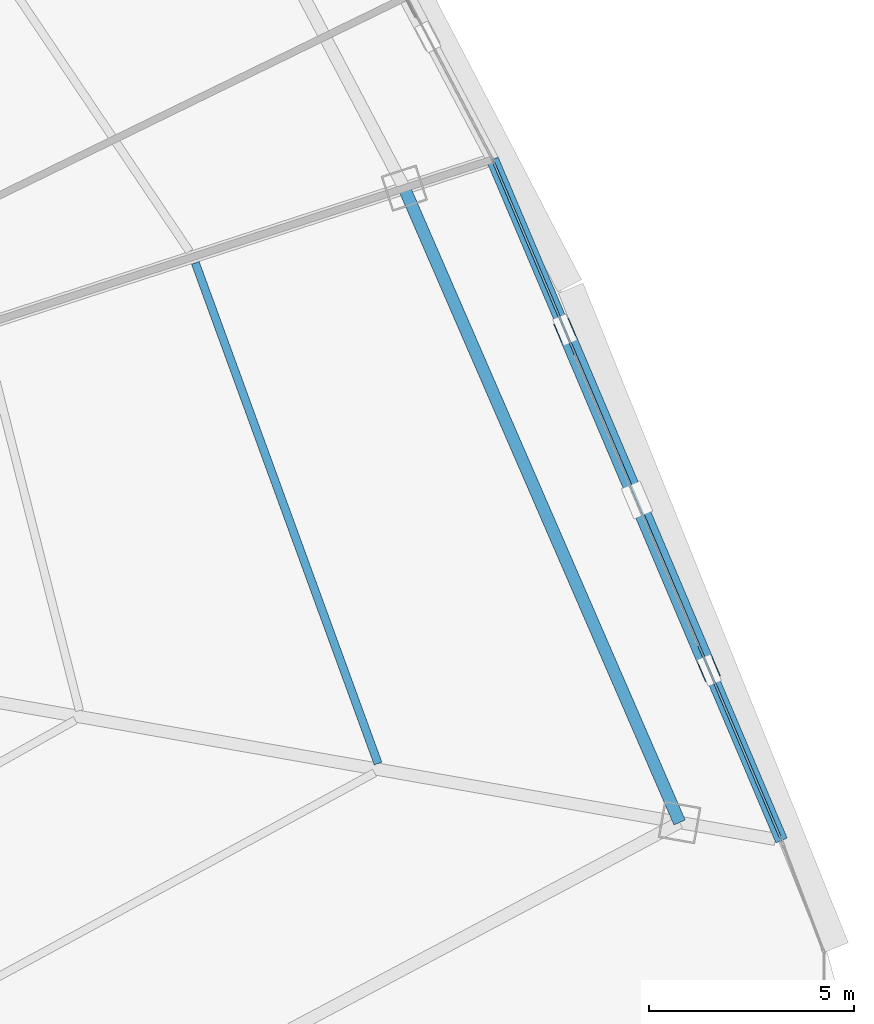
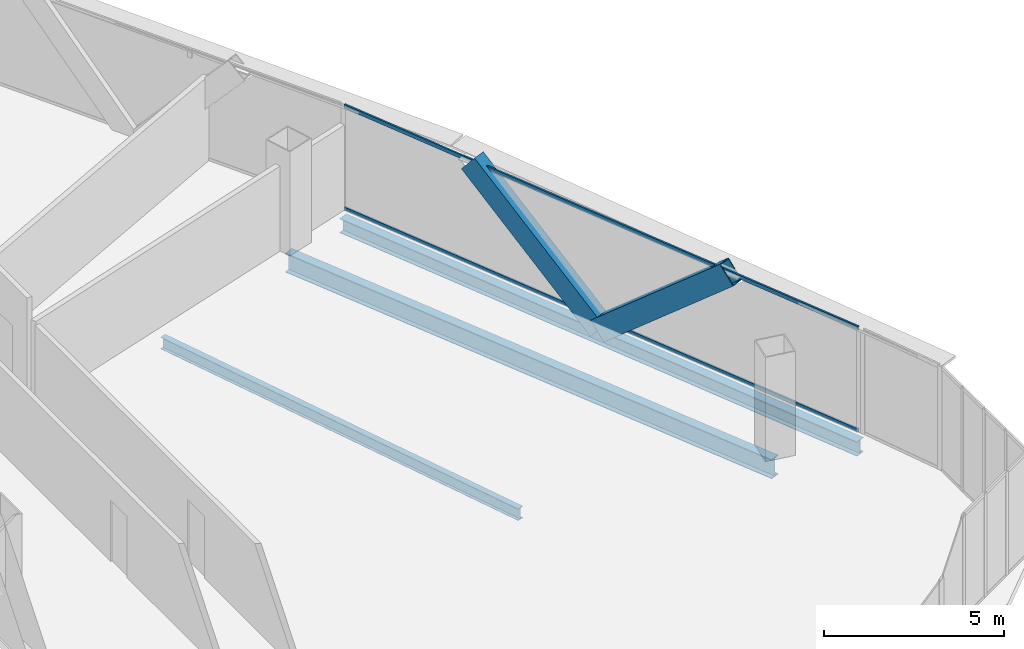
# One storey, part 25 of 40: 4 members, 3 beams, 1 element without a shape of its own.
"""IFC4 building model written with IfcOpenShell, lengths in metres."""

from ifc_helpers import new_model, si_unit, direction, frame, origin, origin_2d, place, context, subcontext, project, spatial, hollow_rectangle, i_section, extrude, source, transform, mapped, material, layer, layer_set, material_profile, profile_set, type_object, element, aggregate, save


model = new_model("IFC4")

# Units and contexts
model_context = context("Model", 3, precision=1e-05, world=origin(), true_north=direction((0.0, 1.0)))
body_context = subcontext(model_context, "Body", "Model", "MODEL_VIEW")
ifc_project = project(units=[si_unit("LENGTHUNIT", "METRE"), si_unit("AREAUNIT", "SQUARE_METRE"), si_unit("VOLUMEUNIT", "CUBIC_METRE"), si_unit("PLANEANGLEUNIT", "RADIAN"), si_unit("MASSUNIT", "GRAM", prefix="KILO"), si_unit("THERMODYNAMICTEMPERATUREUNIT", "KELVIN"), si_unit("POWERUNIT", "WATT")], contexts=[model_context])

# Site, building, storey
site_placement = place(None, origin())
site = spatial("IfcSite", under=ifc_project, at=site_placement, CompositionType="ELEMENT")
building_placement = place(site_placement, origin())
building = spatial("IfcBuilding", under=site, at=building_placement, Name="Yunzhuo Pagoda Commons", CompositionType="ELEMENT")
storey_placement = place(building_placement, frame((0.0, 0.0, 184.760009765625)))
storey = spatial("IfcBuildingStorey", under=building, at=storey_placement, Name="L46", CompositionType="ELEMENT", Elevation=184.760009765625)

# Beams
ifc_material_1 = material(Name="Structural steel Q355B", Category="steel")
ifc_material_profile_1 = material_profile(ifc_material_1, i_section(OverallWidth=0.300048828125, OverallDepth=0.488037109375, WebThickness=0.010986328125, FlangeThickness=0.01806640625, at=origin_2d()), Name="Structural steel Q355B")
ifc_profile_set_1 = profile_set([ifc_material_profile_1], Name="Structural steel Q355B")
beam_type_1 = type_object("IfcBeamType", Name="B-SP1 Beam HM 488x300x11x18", PredefinedType="BEAM", material=ifc_profile_set_1)
shared_shape_1 = source(origin(), body_context, "Body", "SweptSolid", [
    extrude(i_section(OverallWidth=0.300048828125, OverallDepth=0.488037109375, WebThickness=0.010986328125, FlangeThickness=0.01806640625, at=origin_2d()), origin(), (0.0, 0.0, 1.0), 18.037109375),
])
beam_1_placement = place(storey_placement, frame((85.6923828125, 27.0537109375, -0.503662109375), z_axis=(-0.390700353575, 0.920517916021, 0.0), x_axis=(-0.920517916021, -0.390700353575, 0.0)))
element("IfcBeam", 1, at=beam_1_placement, inside=storey, type_object=beam_type_1, Name="L46 facade edge spandrel beam F2.1", PredefinedType="BEAM", context=body_context, shape_type="MappedRepresentation", body=[
    mapped(shared_shape_1, transform((0.0, 0.0, 0.0), scale=1.0)),
])
ifc_material_profile_2 = material_profile(ifc_material_1, i_section(OverallWidth=0.300048828125, OverallDepth=0.64990234375, WebThickness=0.012939453125, FlangeThickness=0.02197265625, at=origin_2d()), Name="Structural steel Q355B")
ifc_profile_set_2 = profile_set([ifc_material_profile_2], Name="Structural steel Q355B")
beam_type_2 = type_object("IfcBeamType", Name="B-RG2 Beam HN 650x300x13x22", PredefinedType="BEAM", material=ifc_profile_set_2)
shared_shape_2 = source(origin(), body_context, "Body", "SweptSolid", [
    extrude(i_section(OverallWidth=0.300048828125, OverallDepth=0.64990234375, WebThickness=0.012939453125, FlangeThickness=0.02197265625, at=origin_2d()), origin(), (0.0, 0.0, 1.0), 16.859619140625),
])
beam_2_placement = place(storey_placement, frame((83.20654296875, 27.492431640625, -0.5849609375), z_axis=(-0.398104384161, 0.917340121935, 0.0), x_axis=(-0.917340121935, -0.398104384161, 0.0)))
element("IfcBeam", 2, at=beam_2_placement, inside=storey, type_object=beam_type_2, Name="L46 column-ring beam 5", PredefinedType="BEAM", context=body_context, shape_type="MappedRepresentation", body=[
    mapped(shared_shape_2, transform((0.0, 0.0, 0.0), scale=1.0)),
])
ifc_material_profile_3 = material_profile(ifc_material_1, i_section(OverallWidth=0.199951171875, OverallDepth=0.39990234375, WebThickness=0.008056640625, FlangeThickness=0.012939453125, at=origin_2d()), Name="Structural steel Q355B")
ifc_profile_set_3 = profile_set([ifc_material_profile_3], Name="Structural steel Q355B")
beam_type_3 = type_object("IfcBeamType", Name="B-JS1 Joist HN 400x200x8x13", PredefinedType="JOIST", material=ifc_profile_set_3)
shared_shape_3 = source(origin(), body_context, "Body", "SweptSolid", [
    extrude(i_section(OverallWidth=0.199951171875, OverallDepth=0.39990234375, WebThickness=0.008056640625, FlangeThickness=0.012939453125, at=origin_2d()), origin(), (0.0, 0.0, 1.0), 12.994873046875),
])
beam_3_placement = place(storey_placement, frame((75.85400390625, 28.928466796875, -0.4599609375), z_axis=(-0.342834977914, 0.939395645039, 0.0), x_axis=(-0.939395645039, -0.342834977914, 0.0)))
element("IfcBeam", 3, at=beam_3_placement, inside=storey, type_object=beam_type_3, Name="L46 composite ring joist 2.5", PredefinedType="JOIST", context=body_context, shape_type="MappedRepresentation", body=[
    mapped(shared_shape_3, transform((0.0, 0.0, 0.0), scale=1.0)),
])

# Members
ifc_material_profile_4 = material_profile(ifc_material_1, hollow_rectangle(XDim=0.39990234375, YDim=0.719970703125, WallThickness=0.02392578125, at=origin_2d()), Name="Structural steel Q355B")
ifc_profile_set_4 = profile_set([ifc_material_profile_4], Name="Structural steel Q355B")
member_type_1 = type_object("IfcMemberType", Name="M-DL2 Brace BOX 720x400x24", PredefinedType="BRACE", material=ifc_profile_set_4)
shared_shape_4 = source(origin(), body_context, "Body", "SweptSolid", [
    extrude(hollow_rectangle(XDim=0.39990234375, YDim=0.719970703125, WallThickness=0.02392578125, at=origin_2d()), origin(), (0.0, 0.0, 1.0), 5.89697265625),
])
for number, where, z_axis, x_axis, name in (
    (4, (82.168701171875, 35.35546875, -0.260009765625), (0.298751694523, -0.703904699318, 0.644411048399), (0.92052278395, 0.390688884189, 0.0), "L46 facade diamond brace F2.1L"),
    (5, (82.168701171875, 35.35546875, -0.260009765625), (-0.298751694523, 0.703904699318, 0.644411048399), (-0.92052278395, -0.390688884189, 0.0), "L46 facade diamond brace F2.1R"),
):
    element("IfcMember", number, at=place(storey_placement, frame(where, z_axis=z_axis, x_axis=x_axis)), inside=storey, type_object=member_type_1, Name=name, PredefinedType="BRACE", context=body_context, shape_type="MappedRepresentation", body=[
        mapped(shared_shape_4, transform((0.0, 0.0, 0.0), scale=1.0)),
    ])

# Curtain wall, members
ifc_material_2 = material(Name="Anodized aluminium 6063-T6", Category="aluminium")
ifc_layer = layer(ifc_material_2, 0.14990234375)
ifc_layer_set = layer_set([ifc_layer], Name="Anodized aluminium 6063-T6")
curtain_wall_type = type_object("IfcCurtainWallType", Name="CW-MID Mid-Zone Ribbon Curtain Wall", PredefinedType="NOTDEFINED", material=ifc_layer_set)
curtain_wall_placement = place(storey_placement, origin())
curtain_wall = element("IfcCurtainWall", 6, at=curtain_wall_placement, inside=storey, type_object=curtain_wall_type, Name="L46 curtain wall CW-L46-F2B2", PredefinedType="NOTDEFINED")
ifc_material_profile_5 = material_profile(ifc_material_2, hollow_rectangle(XDim=0.054931640625, YDim=0.1298828125, WallThickness=0.00341796875, at=origin_2d()), Name="Anodized aluminium 6063-T6")
ifc_profile_set_5 = profile_set([ifc_material_profile_5], Name="Anodized aluminium 6063-T6")
member_type_2 = type_object("IfcMemberType", Name="CW-MID-T Transom RHS 130x55x3.5", PredefinedType="USERDEFINED", material=ifc_profile_set_5)
shared_shape_5 = source(origin(), body_context, "Body", "SweptSolid", [
    extrude(hollow_rectangle(XDim=0.054931640625, YDim=0.1298828125, WallThickness=0.00341796875, at=origin_2d()), origin(), (0.0, 0.0, 1.0), 17.917236328125),
])
member_1_placement = place(storey_placement, frame((85.6689453125, 27.109130859375, 0.027587890625), z_axis=(-0.390715008081, 0.920511695993, 0.0), x_axis=(-0.920511695993, -0.390715008081, 0.0)))
member_1 = element("IfcMember", 7, at=member_1_placement, type_object=member_type_2, Name="CW transom 1.1", ObjectType="TRANSOM", PredefinedType="USERDEFINED", context=body_context, shape_type="MappedRepresentation", body=[
    mapped(shared_shape_5, transform((0.0, 0.0, 0.0), scale=1.0)),
])
member_2_placement = place(storey_placement, frame((85.6689453125, 27.109130859375, 3.512451171875), z_axis=(-0.390715008081, 0.920511695993, 0.0), x_axis=(-0.920511695993, -0.390715008081, 0.0)))
member_2 = element("IfcMember", 8, at=member_2_placement, type_object=member_type_2, Name="CW transom 1.2", ObjectType="TRANSOM", PredefinedType="USERDEFINED", context=body_context, shape_type="MappedRepresentation", body=[
    mapped(shared_shape_5, transform((0.0, 0.0, 0.0), scale=1.0)),
])
aggregate(curtain_wall, [member_1, member_2])

save(model, "model.ifc")
